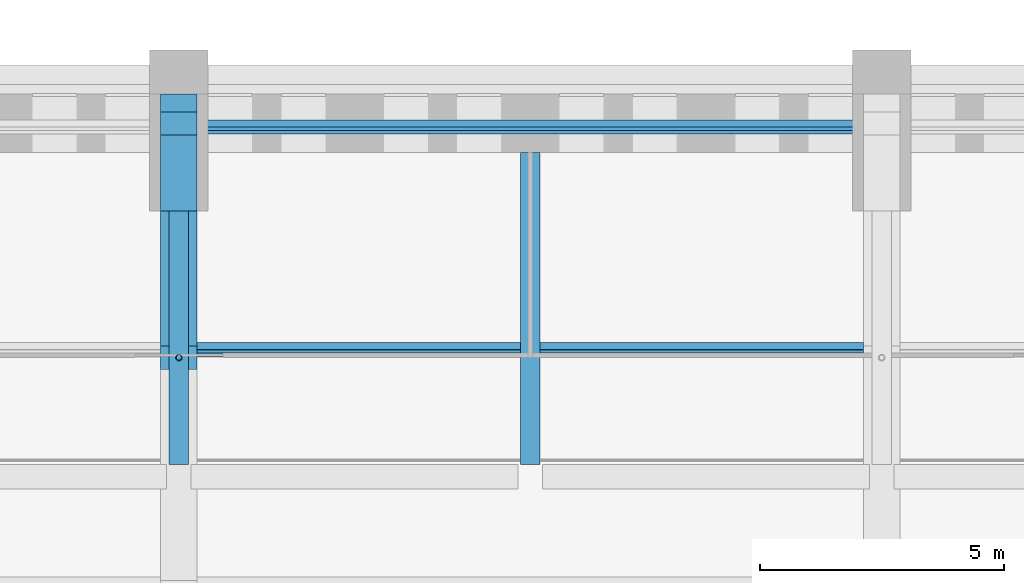
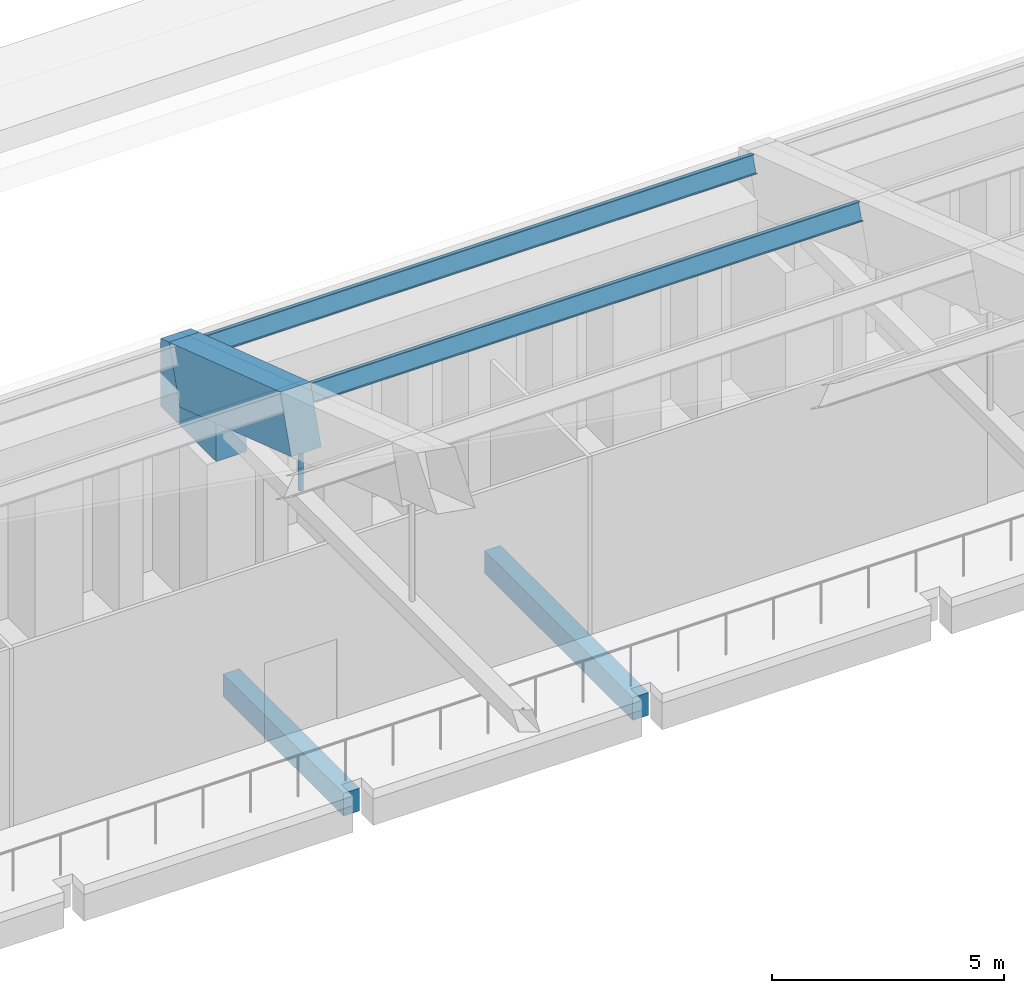
# One storey, part 87 of 149: 4 members, 3 beams.
"""IFC4 building model written with IfcOpenShell, lengths in metres."""

from ifc_helpers import new_model, si_unit, direction, frame, origin, origin_2d, place, context, subcontext, project, spatial, polyline, rectangle, hollow_circle, i_section, outline, extrude, material, material_profile, profile_set, type_object, element, save


model = new_model("IFC4")

# Units and contexts
model_context = context("Model", 3, precision=1e-05, world=origin(), true_north=direction((0.0, 1.0)))
body_context = subcontext(model_context, "Body", "Model", "MODEL_VIEW")
ifc_project = project(units=[si_unit("LENGTHUNIT", "METRE"), si_unit("AREAUNIT", "SQUARE_METRE"), si_unit("VOLUMEUNIT", "CUBIC_METRE"), si_unit("PLANEANGLEUNIT", "RADIAN"), si_unit("MASSUNIT", "GRAM", prefix="KILO")], contexts=[model_context])

# Site, building, storey
site_placement = place(None, origin())
site = spatial("IfcSite", under=ifc_project, at=site_placement, CompositionType="ELEMENT")
building_placement = place(site_placement, origin())
building = spatial("IfcBuilding", under=site, at=building_placement, Name="Alderwick Market Hall", CompositionType="ELEMENT")
storey_placement = place(building_placement, frame((0.0, 0.0, 9.60009765625)))
storey = spatial("IfcBuildingStorey", under=building, at=storey_placement, Name="L01", CompositionType="ELEMENT", Elevation=9.60009765625)

# Beams
ifc_material_1 = material(Name="Concrete 5000 psi (f'c 35 MPa)", Category="concrete")
ifc_material_profile_1 = material_profile(ifc_material_1, rectangle(XDim=0.39990234375, YDim=0.60009765625, at=origin_2d()), Name="RC 400x600")
ifc_profile_set_1 = profile_set([ifc_material_profile_1], Name="Concrete 5000 psi (f'c 35 MPa)")
beam_type_1 = type_object("IfcBeamType", Name="H Gallery beam 400x600", PredefinedType="BEAM", material=ifc_profile_set_1)
beam_1_placement = place(storey_placement, frame((108.0, 106.199951171875, -0.550048828125), z_axis=(0.0, -1.0, 0.0), x_axis=(1.0, 0.0, 0.0)))
element("IfcBeam", 1, at=beam_1_placement, inside=storey, type_object=beam_type_1, Name="Gallery beam N", PredefinedType="BEAM", context=body_context, shape_type="SweptSolid", body=[
    extrude(rectangle(XDim=0.39990234375, YDim=0.60009765625, at=origin_2d()), origin(), (0.0, 0.0, 1.0), 5.18994140625),
])
beam_2_placement = place(storey_placement, frame((115.199951171875, 107.39990234375, -0.550048828125), z_axis=(0.0, -1.0, 0.0), x_axis=(1.0, 0.0, 0.0)))
element("IfcBeam", 2, at=beam_2_placement, inside=storey, type_object=beam_type_1, Name="Gallery beam N", PredefinedType="BEAM", context=body_context, shape_type="SweptSolid", body=[
    extrude(rectangle(XDim=0.39990234375, YDim=0.60009765625, at=origin_2d()), origin(), (0.0, 0.0, 1.0), 6.389892578125),
])
ifc_material_profile_2 = material_profile(ifc_material_1, rectangle(XDim=0.75, YDim=1.5, at=origin_2d()), Name="RC 750x1500")
ifc_profile_set_2 = profile_set([ifc_material_profile_2], Name="Concrete 5000 psi (f'c 35 MPa)")
beam_type_2 = type_object("IfcBeamType", Name="R Arch Rib Springing 750x1500", PredefinedType="BEAM", material=ifc_profile_set_2)
beam_3_placement = place(storey_placement, frame((108.0, 103.199951171875, 8.199951171875), z_axis=(0.0, 0.948678472761, -0.316242241517), x_axis=(-1.0, 0.0, 0.0)))
element("IfcBeam", 3, at=beam_3_placement, inside=storey, type_object=beam_type_2, Name="Arch rib 5 chord 12", PredefinedType="BEAM", context=body_context, shape_type="SweptSolid", body=[
    extrude(rectangle(XDim=0.75, YDim=1.5, at=origin_2d()), origin(), (0.0, 0.0, 1.0), 5.059814453125),
])

# Members
ifc_material_2 = material(Name="Steel ASTM A500 Grade C", Category="steel")
ifc_material_profile_3 = material_profile(ifc_material_2, hollow_circle(Radius=0.0634765625, WallThickness=0.005859375, at=origin_2d()), Name="HSS5.000x0.250")
ifc_profile_set_3 = profile_set([ifc_material_profile_3], Name="Steel ASTM A500 Grade C")
member_type_1 = type_object("IfcMemberType", Name="R Hanger HSS5.000x0.250", PredefinedType="POST", material=ifc_profile_set_3)
member_1_placement = place(storey_placement, frame((108.0, 103.199951171875, 6.35302734375), z_axis=(0.0, 0.0, 1.0), x_axis=(1.0, 0.0, 0.0)))
element("IfcMember", 4, at=member_1_placement, inside=storey, type_object=member_type_1, Name="Arch hanger 5.11", PredefinedType="POST", context=body_context, shape_type="SweptSolid", body=[
    extrude(hollow_circle(Radius=0.0634765625, WallThickness=0.005859375, at=origin_2d()), origin(), (0.0, 0.0, 1.0), 1.03515625),
])
ifc_material_3 = material(Name="Steel ASTM A992 Grade 50", Category="steel")
ifc_material_profile_4 = material_profile(ifc_material_3, i_section(OverallWidth=0.153076171875, OverallDepth=0.455078125, WebThickness=0.008056640625, FlangeThickness=0.01318359375, at=origin_2d()), Name="W18x40")
ifc_profile_set_4 = profile_set([ifc_material_profile_4], Name="Steel ASTM A992 Grade 50")
member_type_2 = type_object("IfcMemberType", Name="R Purlin W18x40", PredefinedType="PURLIN", material=ifc_profile_set_4)
for number, where, z_axis, x_axis, name in (
    (5, (108.375, 103.36328125, 8.68994140625), (1.0, 0.0, 0.0), (0.0, 0.948683297073, -0.316227768949), "Roof purlin 12.5"),
    (6, (108.375, 107.92626953125, 7.1689453125), (1.0, 0.0, 0.0), (0.0, 0.948683297073, -0.316227768949), "Roof purlin 13.5"),
):
    element("IfcMember", number, at=place(storey_placement, frame(where, z_axis=z_axis, x_axis=x_axis)), inside=storey, type_object=member_type_2, Name=name, PredefinedType="PURLIN", context=body_context, shape_type="SweptSolid", body=[
        extrude(i_section(OverallWidth=0.153076171875, OverallDepth=0.455078125, WebThickness=0.008056640625, FlangeThickness=0.01318359375, at=origin_2d()), origin(), (0.0, 0.0, 1.0), 13.64990234375),
    ])
ifc_material_profile_5 = material_profile(ifc_material_1, outline(polyline([(0.0, 0.0), (-2.39990234375, 0.0), (-2.39990234375, 1.009521484375), (-0.837158203125, 0.488525390625), (-0.36279296875, 1.91162109375), (0.0, 1.79052734375), (0.0, 0.0)])), Name="RC skewback N")
ifc_profile_set_5 = profile_set([ifc_material_profile_5], Name="Concrete 5000 psi (f'c 35 MPa)")
member_type_3 = type_object("IfcMemberType", Name="R Springing Skewback North", PredefinedType="MEMBER", material=ifc_profile_set_5)
member_2_placement = place(storey_placement, frame((107.625, 108.60009765625, 5.39990234375), z_axis=(1.0, 0.0, 0.0), x_axis=(0.0, 1.0, 0.0)))
element("IfcMember", 7, at=member_2_placement, inside=storey, type_object=member_type_3, Name="Springing skewback N5", PredefinedType="MEMBER", context=body_context, shape_type="SweptSolid", body=[
    extrude(outline(polyline([(0.0, 0.0), (-2.39990234375, 0.0), (-2.39990234375, 1.009521484375), (-0.837158203125, 0.488525390625), (-0.36279296875, 1.91162109375), (0.0, 1.79052734375), (0.0, 0.0)])), origin(), (0.0, 0.0, 1.0), 0.75),
])

save(model, "model.ifc")
